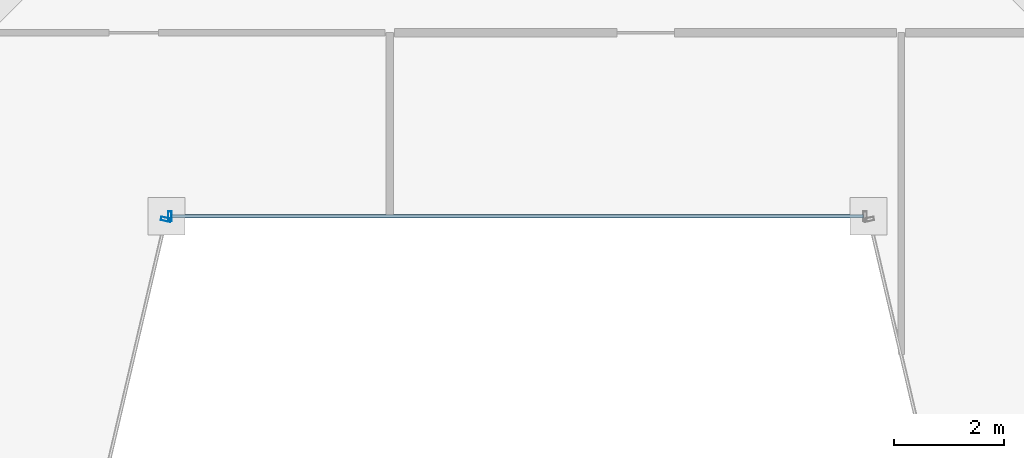
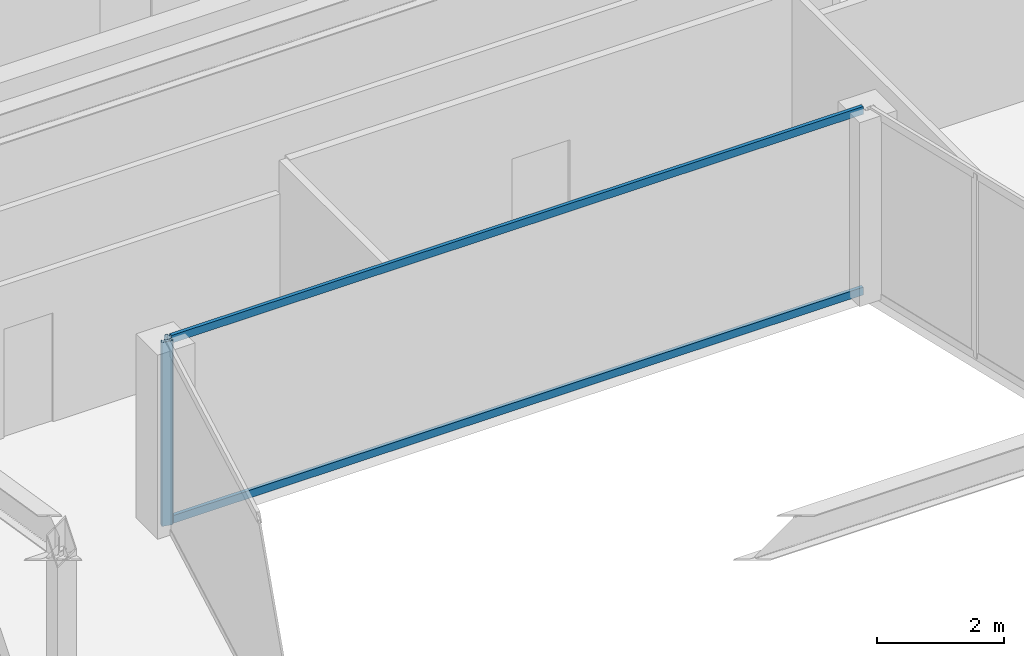
# One storey, part 8 of 32: 4 members, 2 elements without a shape of their own.
"""IFC4 building model written with IfcOpenShell, lengths in metres."""

import ifcopenshell
import ifcopenshell.guid

model = None  # the IFC model being written
_history = None  # IfcOwnerHistory: only IFC2X3 demands one
_inside = {}  # id of a spatial element -> (the spatial element, [elements in it])
_under = {}  # id of a project, library or spatial element -> (it, [spatial elements below it])
_declared = {}  # id of a project -> (the project, [libraries it declares])
_typed = {}  # id of a type object -> (the type object, [elements of that type])
_made_of = {}  # id of a material, layer set ... -> (it, [elements and type objects made of it])


def new_model(schema):
    """Start an empty IFC model of exactly this schema.

    Asked for "IFC4X3", IfcOpenShell would pick the latest addendum, in which some entities
    have other attributes; the version numbers below select the first issue.
    IFC2X3 requires an IfcOwnerHistory on every rooted entity: one is made here for all.
    """
    global model, _history
    if schema == "IFC4X3":
        model = ifcopenshell.file(schema_version=(4, 3, 0, 0))
    else:
        model = ifcopenshell.file(schema=schema)
    _inside.clear()
    _under.clear()
    _declared.clear()
    _typed.clear()
    _made_of.clear()
    _history = None
    if model.schema == "IFC2X3":
        org = make("IfcOrganization", Name="unknown")
        user = make(
            "IfcPersonAndOrganization",
            ThePerson=make("IfcPerson", FamilyName="unknown"),
            TheOrganization=org,
        )
        app = make(
            "IfcApplication",
            ApplicationDeveloper=org,
            Version="unknown",
            ApplicationFullName="unknown",
            ApplicationIdentifier="unknown",
        )
        _history = make(
            "IfcOwnerHistory",
            OwningUser=user,
            OwningApplication=app,
            ChangeAction="ADDED",
            CreationDate=0,
        )
    return model


def make(cls, **values):
    """One entity of the class cls with the attributes given. An attribute that is None is left unset."""
    return model.create_entity(
        cls, **{name: value for name, value in values.items() if value is not None}
    )


def rooted(cls, **values):
    """An entity with a GlobalId (a new one), such as an element, a storey or a relation."""
    return make(cls, GlobalId=ifcopenshell.guid.new(), OwnerHistory=_history, **values)


def si_unit(unit_type, name, prefix=None):
    """IfcSIUnit, for example si_unit("LENGTHUNIT", "METRE", prefix="MILLI")."""
    return make("IfcSIUnit", UnitType=unit_type, Prefix=prefix, Name=name)


def assignment(units):
    """IfcUnitAssignment: the units of a project."""
    return None if units is None else make("IfcUnitAssignment", Units=units)


def point(xyz):
    """IfcCartesianPoint."""
    return None if xyz is None else make("IfcCartesianPoint", Coordinates=xyz)


def direction(xyz):
    """IfcDirection."""
    return None if xyz is None else make("IfcDirection", DirectionRatios=xyz)


def frame(location, z_axis=None, x_axis=None):
    """IfcAxis2Placement3D, a coordinate frame: its origin and axes. An axis left out is left unset."""
    return make(
        "IfcAxis2Placement3D",
        Location=point(location),
        Axis=direction(z_axis),
        RefDirection=direction(x_axis),
    )


def frame_2d(location, x_axis=None):
    """IfcAxis2Placement2D, a coordinate frame in the plane: its origin and x axis."""
    return make(
        "IfcAxis2Placement2D", Location=point(location), RefDirection=direction(x_axis)
    )


def origin():
    """The frame at (0, 0, 0) with its axes left unset."""
    return frame((0.0, 0.0, 0.0))


def origin_2d():
    """The frame at (0, 0) in the plane with its x axis left unset."""
    return frame_2d((0.0, 0.0))


def place(relative_to, where):
    """IfcLocalPlacement: puts the frame where relative to a parent placement (None: the world)."""
    return make(
        "IfcLocalPlacement", PlacementRelTo=relative_to, RelativePlacement=where
    )


def context(
    kind, dimensions, precision=None, world=None, true_north=None, identifier=None
):
    """IfcGeometricRepresentationContext, for example the 3D "Model" context."""
    return make(
        "IfcGeometricRepresentationContext",
        ContextIdentifier=identifier,
        ContextType=kind,
        CoordinateSpaceDimension=dimensions,
        Precision=precision,
        WorldCoordinateSystem=world,
        TrueNorth=true_north,
    )


def subcontext(parent, identifier, kind, view, scale=None):
    """IfcGeometricRepresentationSubContext, for example "Body" below "Model"."""
    return make(
        "IfcGeometricRepresentationSubContext",
        ContextIdentifier=identifier,
        ContextType=kind,
        ParentContext=parent,
        TargetScale=scale,
        TargetView=view,
    )


def project(units=None, contexts=None):
    """IfcProject with its units and contexts."""
    return rooted(
        "IfcProject",
        Name="project",
        RepresentationContexts=contexts,
        UnitsInContext=assignment(units),
    )


def spatial(cls, under=None, at=None, **own):
    """A site, building, storey or space (cls), placed at a placement, below another one or the project."""
    s = rooted(cls, ObjectPlacement=at, **own)
    if under is not None:
        _under.setdefault(under.id(), (under, []))[1].append(s)
    return s


def profile(cls, at=None, kind="AREA", **sizes):
    """A parametric profile (cls). Its sizes go by their IFC names, for example OverallWidth=200.0."""
    return make(cls, ProfileType=kind, Position=at, **sizes)


def hollow_rectangle(**sizes):
    """IfcRectangleHollowProfileDef."""
    return profile("IfcRectangleHollowProfileDef", **sizes)


def extrude(swept, where, along, depth):
    """IfcExtrudedAreaSolid: the profile swept, set in the frame where, extruded along a direction by depth."""
    return make(
        "IfcExtrudedAreaSolid",
        SweptArea=swept,
        Position=where,
        ExtrudedDirection=direction(along),
        Depth=depth,
    )


def shape(context_of_items, identifier, shape_type, items):
    """IfcShapeRepresentation: the items that make up one representation, for example the "Body"."""
    return make(
        "IfcShapeRepresentation",
        ContextOfItems=context_of_items,
        RepresentationIdentifier=identifier,
        RepresentationType=shape_type,
        Items=items,
    )


def material(Name=None, Category=None):
    """IfcMaterial."""
    return make("IfcMaterial", Name=Name, Category=Category)


def material_profile(
    of_material, cross_section, Name=None, Category=None, Priority=None
):
    """IfcMaterialProfile: a cross section and its material."""
    return make(
        "IfcMaterialProfile",
        Name=Name,
        Material=of_material,
        Profile=cross_section,
        Priority=Priority,
        Category=Category,
    )


def profile_set(profiles, Name=None, composite=None):
    """IfcMaterialProfileSet."""
    return make(
        "IfcMaterialProfileSet",
        Name=Name,
        MaterialProfiles=profiles,
        CompositeProfile=composite,
    )


def made_of(thing, what):
    """Note that an element or type object is made of a material, layer set ...; save() writes the relation."""
    if what is not None:
        _made_of.setdefault(what.id(), (what, []))[1].append(thing)
    return thing


def type_object(cls, material=None, **own):
    """A type object (cls), such as IfcWallType, which elements share."""
    return made_of(rooted(cls, **own), material)


def element(
    cls,
    number,
    at=None,
    inside=None,
    cuts=None,
    type_object=None,
    material=None,
    context=None,
    identifier="Body",
    shape_type=None,
    held_by="IfcProductDefinitionShape",
    body=None,
    shapes=None,
    **own,
):
    """One element of the class cls, such as IfcWall. Its Tag is "e" and its number.

    at: its placement. inside: the storey or other place that contains it. cuts: it is an
    opening in that element (IfcRelVoidsElement). A single representation is given by context,
    identifier, shape_type and body (its items); several are given by shapes. held_by: the class
    of the entity that holds the representations. save() writes the other relations.
    """
    e = rooted(cls, Tag="e%d" % number, ObjectPlacement=at, **own)
    if body is not None:
        shapes = [shape(context, identifier, shape_type, body)]
    if shapes is not None:
        e.Representation = make(held_by, Representations=shapes)
    if inside is not None:
        _inside.setdefault(inside.id(), (inside, []))[1].append(e)
    if cuts is not None:
        rooted(
            "IfcRelVoidsElement", RelatingBuildingElement=cuts, RelatedOpeningElement=e
        )
    if type_object is not None:
        _typed.setdefault(type_object.id(), (type_object, []))[1].append(e)
    return made_of(e, material)


def aggregate(whole, parts):
    """IfcRelAggregates: a whole, such as a stair, and the parts it consists of."""
    return rooted("IfcRelAggregates", RelatingObject=whole, RelatedObjects=parts)


def save(model, path):
    """Write the relations noted so far, then the file.

    IfcRelAggregates (storeys below a building ...), IfcRelContainedInSpatialStructure (elements
    in a storey), IfcRelDefinesByType, IfcRelAssociatesMaterial and IfcRelDeclares: one each for
    every whole, place, type object, material and project.
    """
    for whole, parts in _under.values():
        aggregate(whole, parts)
    for where, things in _inside.values():
        rooted(
            "IfcRelContainedInSpatialStructure",
            RelatedElements=things,
            RelatingStructure=where,
        )
    for kind, things in _typed.values():
        rooted("IfcRelDefinesByType", RelatedObjects=things, RelatingType=kind)
    for what, things in _made_of.values():
        rooted("IfcRelAssociatesMaterial", RelatedObjects=things, RelatingMaterial=what)
    for by, libraries in _declared.values():
        rooted("IfcRelDeclares", RelatingContext=by, RelatedDefinitions=libraries)
    model.write(path)


model = new_model("IFC4")

# Units and contexts
model_context = context("Model", 3, precision=1e-05, world=origin(), true_north=direction((0.0, 1.0)))
body_context = subcontext(model_context, "Body", "Model", "MODEL_VIEW")
ifc_project = project(units=[si_unit("LENGTHUNIT", "METRE"), si_unit("AREAUNIT", "SQUARE_METRE"), si_unit("VOLUMEUNIT", "CUBIC_METRE"), si_unit("PLANEANGLEUNIT", "RADIAN"), si_unit("MASSUNIT", "GRAM", prefix="KILO")], contexts=[model_context])

# Site, building, storey
site_placement = place(None, origin())
site = spatial("IfcSite", under=ifc_project, at=site_placement, CompositionType="ELEMENT")
building_placement = place(site_placement, origin())
building = spatial("IfcBuilding", under=site, at=building_placement, Name="Saevonmaru Cultural Tower", CompositionType="ELEMENT")
storey_placement = place(building_placement, frame((0.0, 0.0, 264.800048828125)))
storey = spatial("IfcBuildingStorey", under=building, at=storey_placement, Name="L62", CompositionType="ELEMENT", Elevation=264.800048828125)

# Curtain wall, member
ifc_material = material(Name="Satin Bronze Anodised Aluminium", Category="aluminium")
curtain_wall_type = type_object("IfcCurtainWallType", Name="CW-TYP-B", PredefinedType="NOTDEFINED", material=ifc_material)
curtain_wall_1_placement = place(storey_placement, origin())
curtain_wall_1 = element("IfcCurtainWall", 1, at=curtain_wall_1_placement, inside=storey, type_object=curtain_wall_type, Name="L62 Unitised Curtain Wall E3", PredefinedType="NOTDEFINED")
ifc_material_profile_1 = material_profile(ifc_material, hollow_rectangle(XDim=0.06494140625, YDim=0.179931640625, WallThickness=0.00390625, at=origin_2d()), Name="ALU-MULL-180x65x4")
ifc_profile_set_1 = profile_set([ifc_material_profile_1], Name="Satin Bronze Anodised Aluminium")
member_type_1 = type_object("IfcMemberType", Name="ML-CW-180x65", PredefinedType="MULLION", material=ifc_profile_set_1)
member_1_placement = place(storey_placement, frame((23.581787109375, 35.54150390625, 0.0), z_axis=(0.0, 0.0, 1.0), x_axis=(0.228189509449, 0.973616735568, 0.0)))
member_1 = element("IfcMember", 2, at=member_1_placement, type_object=member_type_1, Name="CW-TW-L62-E3 mullion 2", PredefinedType="MULLION", context=body_context, shape_type="SweptSolid", body=[
    extrude(hollow_rectangle(XDim=0.06494140625, YDim=0.179931640625, WallThickness=0.00390625, at=origin_2d()), origin(), (0.0, 0.0, 1.0), 3.550048828125),
])
aggregate(curtain_wall_1, [member_1])

# Curtain wall, members
curtain_wall_2_placement = place(storey_placement, origin())
curtain_wall_2 = element("IfcCurtainWall", 3, at=curtain_wall_2_placement, inside=storey, type_object=curtain_wall_type, Name="L62 Unitised Curtain Wall E4", PredefinedType="NOTDEFINED")
member_2_placement = place(storey_placement, frame((23.655517578125, 35.60009765625, 0.0), z_axis=(0.0, 0.0, 1.0), x_axis=(1.0, 0.0, 0.0)))
member_2 = element("IfcMember", 4, at=member_2_placement, type_object=member_type_1, Name="CW-TW-L62-E4 mullion 1", PredefinedType="MULLION", context=body_context, shape_type="SweptSolid", body=[
    extrude(hollow_rectangle(XDim=0.06494140625, YDim=0.179931640625, WallThickness=0.00390625, at=origin_2d()), origin(), (0.0, 0.0, 1.0), 3.550048828125),
])
ifc_material_profile_2 = material_profile(ifc_material, hollow_rectangle(XDim=0.06494140625, YDim=0.14990234375, WallThickness=0.00390625, at=origin_2d()), Name="ALU-TRAN-150x65x4")
ifc_profile_set_2 = profile_set([ifc_material_profile_2], Name="Satin Bronze Anodised Aluminium")
member_type_2 = type_object("IfcMemberType", Name="TR-CW-150x65", PredefinedType="USERDEFINED", material=ifc_profile_set_2)
member_3_placement = place(storey_placement, frame((23.68798828125, 35.60009765625, 0.032470703125), z_axis=(1.0, 0.0, 0.0), x_axis=(0.0, 1.0, 0.0)))
member_3 = element("IfcMember", 5, at=member_3_placement, type_object=member_type_2, Name="CW-TW-L62-E4 transom 1.1", ObjectType="TRANSOM", PredefinedType="USERDEFINED", context=body_context, shape_type="SweptSolid", body=[
    extrude(hollow_rectangle(XDim=0.06494140625, YDim=0.14990234375, WallThickness=0.00390625, at=origin_2d()), origin(), (0.0, 0.0, 1.0), 12.6240234375),
])
member_4_placement = place(storey_placement, frame((23.68798828125, 35.60009765625, 3.517333984375), z_axis=(1.0, 0.0, 0.0), x_axis=(0.0, 1.0, 0.0)))
member_4 = element("IfcMember", 6, at=member_4_placement, type_object=member_type_2, Name="CW-TW-L62-E4 transom 1.2", ObjectType="TRANSOM", PredefinedType="USERDEFINED", context=body_context, shape_type="SweptSolid", body=[
    extrude(hollow_rectangle(XDim=0.06494140625, YDim=0.14990234375, WallThickness=0.00390625, at=origin_2d()), origin(), (0.0, 0.0, 1.0), 12.6240234375),
])
aggregate(curtain_wall_2, [member_2, member_3, member_4])

save(model, "model.ifc")
